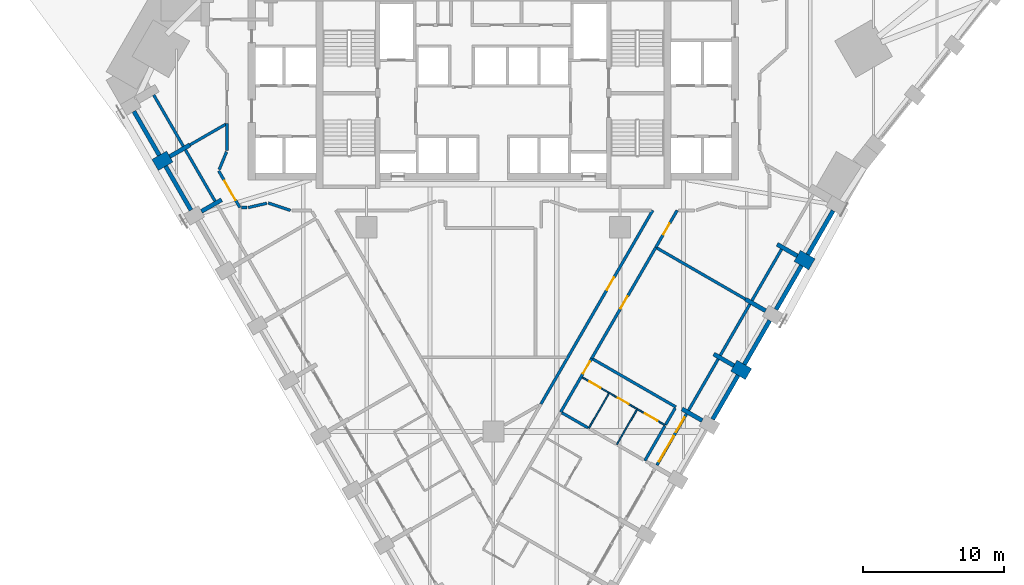
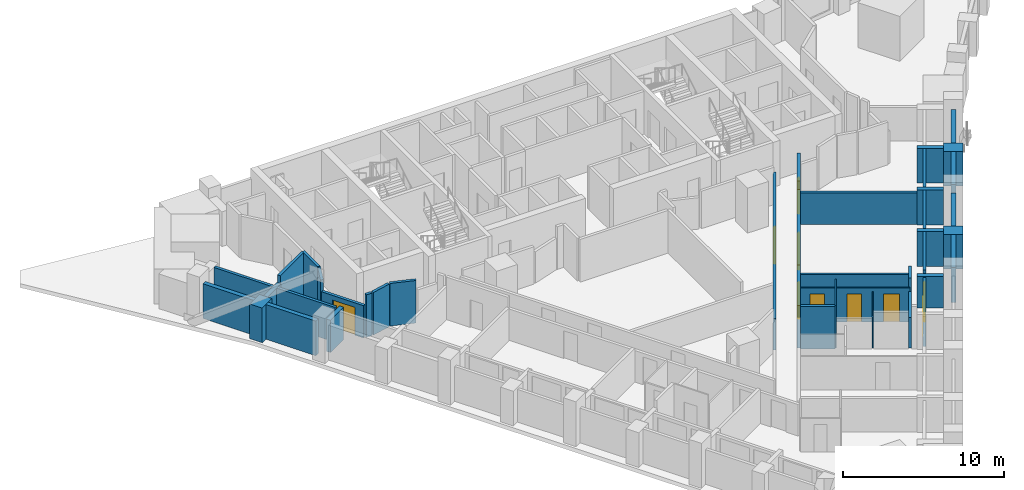
# One storey, part 5 of 10: 40 walls, 9 doors, 1 window, 10 openings.
"""IFC4 building model written with IfcOpenShell, lengths in metres."""

from ifc_helpers import new_model, si_unit, direction, frame, frame_2d, origin, place, context, subcontext, project, spatial, rectangle, extrude, material, layer, layer_set, type_object, element, fill, save


model = new_model("IFC4")

# Units and contexts
model_context = context("Model", 3, precision=1e-05, world=origin(), true_north=direction((0.0, 1.0)))
body_context = subcontext(model_context, "Body", "Model", "MODEL_VIEW")
ifc_project = project(units=[si_unit("LENGTHUNIT", "METRE"), si_unit("AREAUNIT", "SQUARE_METRE"), si_unit("VOLUMEUNIT", "CUBIC_METRE"), si_unit("PLANEANGLEUNIT", "RADIAN"), si_unit("MASSUNIT", "GRAM", prefix="KILO")], contexts=[model_context])

# Site, building, storey
site_placement = place(None, origin())
site = spatial("IfcSite", under=ifc_project, at=site_placement, CompositionType="ELEMENT")
building_placement = place(site_placement, origin())
building = spatial("IfcBuilding", under=site, at=building_placement, Name="Calabash Gate Tower", CompositionType="ELEMENT")
storey_placement = place(building_placement, frame((0.0, 0.0, 91.800048828125)))
storey = spatial("IfcBuildingStorey", under=building, at=storey_placement, Name="L19", CompositionType="ELEMENT", Elevation=91.800048828125)

# Walls
ifc_material_1 = material(Name="Terracotta brick masonry, exposed face", Category="masonry")
ifc_layer_1 = layer(ifc_material_1, 1.199951171875)
ifc_layer_set_1 = layer_set([ifc_layer_1], Name="Brick end wall 1200")
wall_type_1 = type_object("IfcWallType", Name="Brick end wall 1200", PredefinedType="SOLIDWALL", material=ifc_layer_set_1)
wall_1_placement = place(storey_placement, frame((-24.01025390625, 6.922119140625, 0.0), z_axis=(0.0, 0.0, 1.0), x_axis=(0.865955154139, 0.50012165622, 0.0)))
element("IfcWall", 1, at=wall_1_placement, inside=storey, type_object=wall_type_1, Name="Brick pier S05 SW0.1", PredefinedType="SOLIDWALL", context=body_context, shape_type="SweptSolid", body=[
    extrude(rectangle(XDim=1.199951171875, YDim=0.89990234375, at=frame_2d((0.60009765625, 0.0))), origin(), (0.0, 0.0, 1.0), 2.6298828125),
])
wall_2_placement = place(storey_placement, frame((18.1171875, -7.925537109375, 0.0), z_axis=(0.0, 0.0, 1.0), x_axis=(-0.866006032174, 0.500033551112, 0.0)))
element("IfcWall", 2, at=wall_2_placement, inside=storey, type_object=wall_type_1, Name="Brick pier S05 SE2.5", PredefinedType="SOLIDWALL", context=body_context, shape_type="SweptSolid", body=[
    extrude(rectangle(XDim=1.2001953125, YDim=0.89990234375, at=frame_2d((0.60009765625, 0.0))), origin(), (0.0, 0.0, 1.0), 2.6298828125),
])
wall_3_placement = place(storey_placement, frame((21.577880859375, 0.46875, 0.0), z_axis=(0.0, 0.0, 1.0), x_axis=(0.866094119867, -0.499880961361, 0.0)))
element("IfcWall", 3, at=wall_3_placement, inside=storey, type_object=wall_type_1, Name="Brick pier S05 SE2.7", PredefinedType="SOLIDWALL", context=body_context, shape_type="SweptSolid", body=[
    extrude(rectangle(XDim=1.199951171875, YDim=0.89990234375, at=frame_2d((0.60009765625, 0.0))), origin(), (0.0, 0.0, 1.0), 2.6298828125),
])
ifc_material_2 = material(Name="Terracotta brick masonry, exposed face", Category="masonry")
ifc_layer_2 = layer(ifc_material_2, 0.300048828125)
ifc_layer_set_2 = layer_set([ifc_layer_2], Name="Brick infill panel wall 300")
wall_type_2 = type_object("IfcWallType", Name="Brick infill panel wall 300", PredefinedType="SOLIDWALL", material=ifc_layer_set_2)
wall_4_placement = place(storey_placement, frame((-25.515625, 10.729736328125, 0.0), z_axis=(0.0, 0.0, 1.0), x_axis=(0.499961193289, -0.866047807691, 0.0)))
element("IfcWall", 4, at=wall_4_placement, inside=storey, type_object=wall_type_2, Name="Brick panel S05 SW0.1", PredefinedType="SOLIDWALL", context=body_context, shape_type="SweptSolid", body=[
    extrude(rectangle(XDim=3.599853515625, YDim=0.300048828125, at=frame_2d((1.7998046875, 0.0))), origin(), (0.0, 0.0, 1.0), 2.6298828125),
])
wall_5_placement = place(storey_placement, frame((-21.466552734375, 3.71630859375, 0.0), z_axis=(0.0, 0.0, 1.0), x_axis=(-0.499984792966, 0.866034183392, 0.0)))
element("IfcWall", 5, at=wall_5_placement, inside=storey, type_object=wall_type_2, Name="Brick panel S05 SW0.2", PredefinedType="SOLIDWALL", context=body_context, shape_type="SweptSolid", body=[
    extrude(rectangle(XDim=3.59814453125, YDim=0.300048828125, at=frame_2d((1.799072265625, 0.0))), origin(), (0.0, 0.0, 1.0), 2.6298828125),
])
wall_6_placement = place(storey_placement, frame((15.572509765625, -11.1328125, 0.0), z_axis=(0.0, 0.0, 1.0), x_axis=(0.500012057535, 0.866018442252, 0.0)))
element("IfcWall", 6, at=wall_6_placement, inside=storey, type_object=wall_type_2, Name="Brick panel S05 SE2.5", PredefinedType="SOLIDWALL", context=body_context, shape_type="SweptSolid", body=[
    extrude(rectangle(XDim=3.60009765625, YDim=0.300048828125, at=frame_2d((1.800048828125, 0.0))), origin(), (0.0, 0.0, 1.0), 2.6298828125),
])
wall_7_placement = place(storey_placement, frame((17.822509765625, -7.23583984375, 0.0), z_axis=(0.0, 0.0, 1.0), x_axis=(0.499982693035, 0.866035395735, 0.0)))
element("IfcWall", 7, at=wall_7_placement, inside=storey, type_object=wall_type_2, Name="Brick panel S05 SE2.6", PredefinedType="SOLIDWALL", context=body_context, shape_type="SweptSolid", body=[
    extrude(rectangle(XDim=3.600341796875, YDim=0.300048828125, at=frame_2d((1.80029296875, 0.0))), origin(), (0.0, 0.0, 1.0), 2.6298828125),
])
for number, where, z_axis, x_axis, name in (
    (8, (20.072509765625, -3.338623046875, 0.0), (0.0, 0.0, 1.0), (0.500012057535, 0.866018442252, 0.0), "Brick panel S05 SE2.7"),
    (9, (22.322509765625, 0.55859375, 0.0), (0.0, 0.0, 1.0), (0.500012057535, 0.866018442252, 0.0), "Brick panel S05 SE2.8"),
):
    element("IfcWall", number, at=place(storey_placement, frame(where, z_axis=z_axis, x_axis=x_axis)), inside=storey, type_object=wall_type_2, Name=name, PredefinedType="SOLIDWALL", context=body_context, shape_type="SweptSolid", body=[
        extrude(rectangle(XDim=3.60009765625, YDim=0.300048828125, at=frame_2d((1.800048828125, 0.0))), origin(), (0.0, 0.0, 1.0), 2.6298828125),
    ])
ifc_material_3 = material(Name="Terracotta brick masonry, exposed face", Category="masonry")
ifc_layer_3 = layer(ifc_material_3, 0.300048828125)
ifc_layer_set_3 = layer_set([ifc_layer_3], Name="Brick loggia cheek wall 300")
wall_type_3 = type_object("IfcWallType", Name="Brick loggia cheek wall 300", PredefinedType="SOLIDWALL", material=ifc_layer_set_3)
wall_8_placement = place(storey_placement, frame((-22.97119140625, 7.522216796875, 0.0), z_axis=(0.0, 0.0, 1.0), x_axis=(0.866040211805, 0.499974350878, 0.0)))
element("IfcWall", 10, at=wall_8_placement, inside=storey, type_object=wall_type_3, Name="Loggia cheek S05 SW0.1", PredefinedType="SOLIDWALL", context=body_context, shape_type="SweptSolid", body=[
    extrude(rectangle(XDim=1.64990234375, YDim=0.300048828125, at=frame_2d((0.824951171875, 0.0))), origin(), (0.0, 0.0, 1.0), 2.64990234375),
])
wall_9_placement = place(storey_placement, frame((-19.292236328125, 4.4501953125, 0.0), z_axis=(0.0, 0.0, 1.0), x_axis=(-0.865993292597, -0.500055614084, 0.0)))
element("IfcWall", 11, at=wall_9_placement, inside=storey, type_object=wall_type_3, Name="Loggia cheek S05 SW0.2", PredefinedType="SOLIDWALL", context=body_context, shape_type="SweptSolid", body=[
    extrude(rectangle(XDim=1.649169921875, YDim=0.300048828125, at=frame_2d((0.82470703125, 0.0))), origin(), (0.0, 0.0, 1.0), 2.449951171875),
])
wall_10_placement = place(storey_placement, frame((13.39892578125, -10.3974609375, 0.0), z_axis=(0.0, 0.0, 1.0), x_axis=(0.866003217194, -0.500038426333, 0.0)))
element("IfcWall", 12, at=wall_10_placement, inside=storey, type_object=wall_type_3, Name="Loggia cheek S05 SE2.4", PredefinedType="SOLIDWALL", context=body_context, shape_type="SweptSolid", body=[
    extrude(rectangle(XDim=1.649658203125, YDim=0.300048828125, at=frame_2d((0.82470703125, 0.0))), origin(), (0.0, 0.0, 1.0), 2.384033203125),
])
wall_11_placement = place(storey_placement, frame((17.077880859375, -7.325439453125, 0.0), z_axis=(0.0, 0.0, 1.0), x_axis=(-0.866040211805, 0.499974350878, 0.0)))
element("IfcWall", 13, at=wall_11_placement, inside=storey, type_object=wall_type_3, Name="Loggia cheek S05 SE2.5", PredefinedType="SOLIDWALL", context=body_context, shape_type="SweptSolid", body=[
    extrude(rectangle(XDim=1.64990234375, YDim=0.300048828125, at=frame_2d((0.824951171875, 0.0))), origin(), (0.0, 0.0, 1.0), 2.64990234375),
])
wall_12_placement = place(storey_placement, frame((19.327392578125, -3.427978515625, 0.0), z_axis=(0.0, 0.0, 1.0), x_axis=(-0.866030301974, 0.499991515992, 0.0)))
element("IfcWall", 14, at=wall_12_placement, inside=storey, type_object=wall_type_3, Name="Loggia cheek S05 SE2.6", PredefinedType="SOLIDWALL", context=body_context, shape_type="SweptSolid", body=[
    extrude(rectangle(XDim=1.6494140625, YDim=0.300048828125, at=frame_2d((0.82470703125, 0.0))), origin(), (0.0, 0.0, 1.0), 2.64990234375),
])
wall_13_placement = place(storey_placement, frame((21.577880859375, 0.46875, 0.0), z_axis=(0.0, 0.0, 1.0), x_axis=(-0.866040211805, 0.499974350878, 0.0)))
element("IfcWall", 15, at=wall_13_placement, inside=storey, type_object=wall_type_3, Name="Loggia cheek S05 SE2.7", PredefinedType="SOLIDWALL", context=body_context, shape_type="SweptSolid", body=[
    extrude(rectangle(XDim=1.64990234375, YDim=0.300048828125, at=frame_2d((0.824951171875, 0.0))), origin(), (0.0, 0.0, 1.0), 2.64990234375),
])

# Wall, openings, doors
ifc_material_4 = material(Name="Gypsum board on steel studs, mineral wool", Category="steel")
ifc_layer_4 = layer(ifc_material_4, 0.10009765625)
ifc_layer_set_4 = layer_set([ifc_layer_4], Name="Partition 100 gypsum board")
wall_type_4 = type_object("IfcWallType", Name="Partition 100 gypsum board", PredefinedType="PARTITIONING", material=ifc_layer_set_4)
wall_14_placement = place(storey_placement, frame((6.322021484375, -8.1591796875, 0.0), z_axis=(0.0, 0.0, 1.0), x_axis=(0.866028893315, -0.499993955907, 0.0)))
wall_14 = element("IfcWall", 16, at=wall_14_placement, inside=storey, type_object=wall_type_4, Name="Partition", PredefinedType="PARTITIONING", context=body_context, shape_type="SweptSolid", body=[
    extrude(rectangle(XDim=6.7978515625, YDim=0.10009765625, at=frame_2d((3.39892578125, 0.0))), origin(), (0.0, 0.0, 1.0), 2.5517578125),
])
opening_1_placement = place(wall_14_placement, frame((0.59814453125, 0.0, 0.0)))
opening_1 = element("IfcOpeningElement", 17, at=opening_1_placement, cuts=wall_14, Name="Opening 19-21-017", PredefinedType="OPENING", context=body_context, shape_type="SweptSolid", body=[
    extrude(rectangle(XDim=0.89990234375, YDim=2.10009765625, at=frame_2d((0.449951171875, 1.050048828125))), frame((0.0, 0.06005859375, 0.0), z_axis=(0.0, -1.0, 0.0), x_axis=(1.0, 0.0, 0.0)), (0.0, 0.0, 1.0), 0.1201171875),
])
opening_2_placement = place(wall_14_placement, frame((2.898193359375, 0.0, 0.0)))
opening_2 = element("IfcOpeningElement", 18, at=opening_2_placement, cuts=wall_14, Name="Opening 19-21-018", PredefinedType="OPENING", context=body_context, shape_type="SweptSolid", body=[
    extrude(rectangle(XDim=0.89990234375, YDim=2.10009765625, at=frame_2d((0.449951171875, 1.050048828125))), frame((0.0, 0.06005859375, 0.0), z_axis=(0.0, -1.0, 0.0), x_axis=(1.0, 0.0, 0.0)), (0.0, 0.0, 1.0), 0.1201171875),
])
opening_3_placement = place(wall_14_placement, frame((5.148193359375, 0.0, 0.0)))
opening_3 = element("IfcOpeningElement", 19, at=opening_3_placement, cuts=wall_14, Name="Opening 19-21-019", PredefinedType="OPENING", context=body_context, shape_type="SweptSolid", body=[
    extrude(rectangle(XDim=1.0, YDim=2.10009765625, at=frame_2d((0.5, 1.050048828125))), frame((0.0, 0.06005859375, 0.0), z_axis=(0.0, -1.0, 0.0), x_axis=(1.0, 0.0, 0.0)), (0.0, 0.0, 1.0), 0.1201171875),
])
ifc_material_5 = material(Name="Painted timber door", Category="wood")
door_type_1 = type_object("IfcDoorType", Name="WD1 WC door 900x2100", OperationType="NOTDEFINED", PredefinedType="DOOR", material=ifc_material_5)
door_1_placement = place(opening_1_placement, origin())
door_1 = element("IfcDoor", 20, at=door_1_placement, inside=storey, type_object=door_type_1, Name="WC door", OperationType="SINGLE_SWING_RIGHT", OverallHeight=2.10009765625, OverallWidth=0.89990234375, PredefinedType="DOOR", context=body_context, shape_type="SweptSolid", body=[
    extrude(rectangle(XDim=0.89990234375, YDim=2.10009765625, at=frame_2d((0.449951171875, 1.050048828125))), frame((0.0, 0.02490234375, 0.0), z_axis=(0.0, -1.0, 0.0), x_axis=(1.0, 0.0, 0.0)), (0.0, 0.0, 1.0), 0.050048828125),
])
fill(opening_1, door_1)
door_2_placement = place(opening_2_placement, origin())
door_2 = element("IfcDoor", 21, at=door_2_placement, inside=storey, type_object=door_type_1, Name="WC door", OperationType="SINGLE_SWING_RIGHT", OverallHeight=2.10009765625, OverallWidth=0.89990234375, PredefinedType="DOOR", context=body_context, shape_type="SweptSolid", body=[
    extrude(rectangle(XDim=0.89990234375, YDim=2.10009765625, at=frame_2d((0.449951171875, 1.050048828125))), frame((0.0, 0.02490234375, 0.0), z_axis=(0.0, -1.0, 0.0), x_axis=(1.0, 0.0, 0.0)), (0.0, 0.0, 1.0), 0.050048828125),
])
fill(opening_2, door_2)
ifc_material_6 = material(Name="Painted timber door", Category="wood")
door_type_2 = type_object("IfcDoorType", Name="WD2 Accessible WC door 1000x2100", OperationType="NOTDEFINED", PredefinedType="DOOR", material=ifc_material_6)
door_3_placement = place(opening_3_placement, origin())
door_3 = element("IfcDoor", 22, at=door_3_placement, inside=storey, type_object=door_type_2, Name="Accessible WC door", OperationType="SINGLE_SWING_LEFT", OverallHeight=2.10009765625, OverallWidth=1.0, PredefinedType="DOOR", context=body_context, shape_type="SweptSolid", body=[
    extrude(rectangle(XDim=1.0, YDim=2.10009765625, at=frame_2d((0.5, 1.050048828125))), frame((0.0, 0.02490234375, 0.0), z_axis=(0.0, -1.0, 0.0), x_axis=(1.0, 0.0, 0.0)), (0.0, 0.0, 1.0), 0.050048828125),
])
fill(opening_3, door_3)

# Walls
wall_15_placement = place(storey_placement, frame((8.769287109375, -12.92041015625, 0.0), z_axis=(0.0, 0.0, 1.0), x_axis=(0.499972122318, 0.866041498374, 0.0)))
element("IfcWall", 23, at=wall_15_placement, inside=storey, type_object=wall_type_4, Name="Partition", PredefinedType="PARTITIONING", context=body_context, shape_type="SweptSolid", body=[
    extrude(rectangle(XDim=2.849853515625, YDim=0.10009765625, at=frame_2d((1.4248046875, 0.0))), origin(), (0.0, 0.0, 1.0), 2.302490234375),
])
wall_16_placement = place(storey_placement, frame((6.77734375, -11.7705078125, 0.0), z_axis=(0.0, 0.0, 1.0), x_axis=(0.499972122318, 0.866041498374, 0.0)))
element("IfcWall", 24, at=wall_16_placement, inside=storey, type_object=wall_type_4, Name="Partition", PredefinedType="PARTITIONING", context=body_context, shape_type="SweptSolid", body=[
    extrude(rectangle(XDim=2.849853515625, YDim=0.10009765625, at=frame_2d((1.4248046875, 0.0))), origin(), (0.0, 0.0, 1.0), 3.22998046875),
])
ifc_material_7 = material(Name="Gypsum board on steel studs, mineral wool", Category="steel")
ifc_layer_5 = layer(ifc_material_7, 0.199951171875)
ifc_layer_set_5 = layer_set([ifc_layer_5], Name="Partition 200 gypsum board EI 60")
wall_type_5 = type_object("IfcWallType", Name="Partition 200 gypsum board EI 60", PredefinedType="PARTITIONING", material=ifc_layer_set_5)
wall_17_placement = place(storey_placement, frame((10.75927734375, -14.069580078125, 0.0), z_axis=(0.0, 0.0, 1.0), x_axis=(0.499472906963, 0.866329507295, 0.0)))
element("IfcWall", 25, at=wall_17_placement, inside=storey, type_object=wall_type_5, Name="Partition", PredefinedType="PARTITIONING", context=body_context, shape_type="SweptSolid", body=[
    extrude(rectangle(XDim=2.8515625, YDim=0.199951171875, at=frame_2d((1.42578125, 0.0))), origin(), (0.0, 0.0, 1.0), 2.302490234375),
])
wall_18_placement = place(storey_placement, frame((12.23388671875, -11.51220703125, 0.0), z_axis=(0.0, 0.0, 1.0), x_axis=(0.501000622125, 0.865446923058, 0.0)))
element("IfcWall", 26, at=wall_18_placement, inside=storey, type_object=wall_type_5, Name="Partition", PredefinedType="PARTITIONING", context=body_context, shape_type="SweptSolid", body=[
    extrude(rectangle(XDim=1.349853515625, YDim=0.199951171875, at=frame_2d((0.6748046875, 0.0))), origin(), (0.0, 0.0, 1.0), 3.22998046875),
])
wall_19_placement = place(storey_placement, frame((4.872802734375, -10.6689453125, 0.0), z_axis=(0.0, 0.0, 1.0), x_axis=(0.865664803183, -0.500624059081, 0.0)))
element("IfcWall", 27, at=wall_19_placement, inside=storey, type_object=wall_type_5, Name="Partition", PredefinedType="PARTITIONING", context=body_context, shape_type="SweptSolid", body=[
    extrude(rectangle(XDim=2.148193359375, YDim=0.199951171875, at=frame_2d((1.07421875, 0.0))), origin(), (0.0, 0.0, 1.0), 3.22998046875),
])
wall_20_placement = place(storey_placement, frame((7.072021484375, -6.85986328125, 0.0), z_axis=(0.0, 0.0, 1.0), x_axis=(0.86615808173, -0.499770124611, 0.0)))
element("IfcWall", 28, at=wall_20_placement, inside=storey, type_object=wall_type_5, Name="Partition", PredefinedType="PARTITIONING", context=body_context, shape_type="SweptSolid", body=[
    extrude(rectangle(XDim=6.798095703125, YDim=0.199951171875, at=frame_2d((3.39892578125, 0.0))), origin(), (0.0, 0.0, 1.0), 2.5517578125),
])

# Wall, opening, door
wall_21_placement = place(storey_placement, frame((3.378662109375, -10.049072265625, 0.0), z_axis=(0.0, 0.0, 1.0), x_axis=(0.50000242408, 0.866024004237, 0.0)))
wall_21 = element("IfcWall", 29, at=wall_21_placement, inside=storey, type_object=wall_type_5, Name="Partition", PredefinedType="PARTITIONING", context=body_context, shape_type="SweptSolid", body=[
    extrude(rectangle(XDim=15.876953125, YDim=0.199951171875, at=frame_2d((7.9384765625, 0.0))), origin(), (0.0, 0.0, 1.0), 2.384033203125),
])
opening_4_placement = place(wall_21_placement, frame((9.359130859375, 0.0, 0.0)))
opening_4 = element("IfcOpeningElement", 30, at=opening_4_placement, cuts=wall_21, Name="Opening 19-21-012", PredefinedType="OPENING", context=body_context, shape_type="SweptSolid", body=[
    extrude(rectangle(XDim=1.0, YDim=2.10009765625, at=frame_2d((0.5, 1.050048828125))), frame((0.0, 0.10986328125, 0.0), z_axis=(0.0, -1.0, 0.0), x_axis=(1.0, 0.0, 0.0)), (0.0, 0.0, 1.0), 0.219970703125),
])
ifc_material_8 = material(Name="Steel fire door set with fire-resisting glazing", Category="steel")
door_type_3 = type_object("IfcDoorType", Name="LD2 Meeting room door 1000x2100", OperationType="NOTDEFINED", PredefinedType="DOOR", material=ifc_material_8)
door_4_placement = place(opening_4_placement, origin())
door_4 = element("IfcDoor", 31, at=door_4_placement, inside=storey, type_object=door_type_3, Name="Meeting room door", OperationType="SINGLE_SWING_RIGHT", OverallHeight=2.10009765625, OverallWidth=1.0, PredefinedType="DOOR", context=body_context, shape_type="SweptSolid", body=[
    extrude(rectangle(XDim=1.0, YDim=2.10009765625, at=frame_2d((0.5, 1.050048828125))), frame((0.0, 0.02490234375, 0.0), z_axis=(0.0, -1.0, 0.0), x_axis=(1.0, 0.0, 0.0)), (0.0, 0.0, 1.0), 0.050048828125),
])
fill(opening_4, door_4)

wall_22_placement = place(storey_placement, frame((6.98486328125, -6.807373046875, 0.0), z_axis=(0.0, 0.0, 1.0), x_axis=(0.500170742348, 0.865926803199, 0.0)))
wall_22 = element("IfcWall", 32, at=wall_22_placement, inside=storey, type_object=wall_type_5, Name="Partition", PredefinedType="PARTITIONING", context=body_context, shape_type="SweptSolid", body=[
    extrude(rectangle(XDim=9.097900390625, YDim=0.199951171875, at=frame_2d((4.548828125, 0.0))), origin(), (0.0, 0.0, 1.0), 2.5517578125),
])
opening_5_placement = place(wall_22_placement, frame((4.097900390625, 0.0, 0.0)))
opening_5 = element("IfcOpeningElement", 33, at=opening_5_placement, cuts=wall_22, Name="Opening 19-21-010", PredefinedType="OPENING", context=body_context, shape_type="SweptSolid", body=[
    extrude(rectangle(XDim=1.0, YDim=2.10009765625, at=frame_2d((0.5, 1.050048828125))), frame((0.0, 0.10986328125, 0.0), z_axis=(0.0, -1.0, 0.0), x_axis=(1.0, 0.0, 0.0)), (0.0, 0.0, 1.0), 0.219970703125),
])
door_5_placement = place(opening_5_placement, origin())
door_5 = element("IfcDoor", 34, at=door_5_placement, inside=storey, type_object=door_type_3, Name="Meeting room door", OperationType="SINGLE_SWING_LEFT", OverallHeight=2.10009765625, OverallWidth=1.0, PredefinedType="DOOR", context=body_context, shape_type="SweptSolid", body=[
    extrude(rectangle(XDim=1.0, YDim=2.10009765625, at=frame_2d((0.5, 1.050048828125))), frame((0.0, 0.02490234375, 0.0), z_axis=(0.0, -1.0, 0.0), x_axis=(1.0, 0.0, 0.0)), (0.0, 0.0, 1.0), 0.050048828125),
])
fill(opening_5, door_5)

wall_23_placement = place(storey_placement, frame((4.786376953125, -10.618896484375, 0.0), z_axis=(0.0, 0.0, 1.0), x_axis=(0.500007539231, 0.866021050964, 0.0)))
wall_23 = element("IfcWall", 35, at=wall_23_placement, inside=storey, type_object=wall_type_5, Name="Partition", PredefinedType="PARTITIONING", context=body_context, shape_type="SweptSolid", body=[
    extrude(rectangle(XDim=4.3984375, YDim=0.199951171875, at=frame_2d((2.19921875, 0.0))), origin(), (0.0, 0.0, 1.0), 3.22998046875),
])
opening_6_placement = place(wall_23_placement, frame((3.14990234375, 0.0, 0.0)))
opening_6 = element("IfcOpeningElement", 36, at=opening_6_placement, cuts=wall_23, Name="Opening 19-21-016", PredefinedType="OPENING", context=body_context, shape_type="SweptSolid", body=[
    extrude(rectangle(XDim=1.0, YDim=2.10009765625, at=frame_2d((0.5, 1.050048828125))), frame((0.0, 0.10986328125, 0.0), z_axis=(0.0, -1.0, 0.0), x_axis=(1.0, 0.0, 0.0)), (0.0, 0.0, 1.0), 0.219970703125),
])
ifc_material_9 = material(Name="Steel fire door set with fire-resisting glazing", Category="steel")
door_type_4 = type_object("IfcDoorType", Name="WD3 WC lobby door 1000x2100", OperationType="NOTDEFINED", PredefinedType="DOOR", material=ifc_material_9)
door_6_placement = place(opening_6_placement, origin())
door_6 = element("IfcDoor", 37, at=door_6_placement, inside=storey, type_object=door_type_4, Name="WC lobby door", OperationType="SINGLE_SWING_LEFT", OverallHeight=2.10009765625, OverallWidth=1.0, PredefinedType="DOOR", context=body_context, shape_type="SweptSolid", body=[
    extrude(rectangle(XDim=1.0, YDim=2.10009765625, at=frame_2d((0.5, 1.050048828125))), frame((0.0, 0.02490234375, 0.0), z_axis=(0.0, -1.0, 0.0), x_axis=(1.0, 0.0, 0.0)), (0.0, 0.0, 1.0), 0.050048828125),
])
fill(opening_6, door_6)

# Walls
wall_24_placement = place(storey_placement, frame((11.622802734375, 1.0224609375, 0.0), z_axis=(0.0, 0.0, 1.0), x_axis=(0.865930886033, -0.500163673825, 0.0)))
element("IfcWall", 38, at=wall_24_placement, inside=storey, type_object=wall_type_5, Name="Partition", PredefinedType="PARTITIONING", context=body_context, shape_type="SweptSolid", body=[
    extrude(rectangle(XDim=7.248046875, YDim=0.199951171875, at=frame_2d((3.6240234375, 0.0))), origin(), (0.0, 0.0, 1.0), 2.384033203125),
])
wall_25_placement = place(storey_placement, frame((-15.98291015625, 4.22705078125, 0.0), z_axis=(0.0, 0.0, 1.0), x_axis=(0.948683298051, -0.316227766017, 0.0)))
element("IfcWall", 39, at=wall_25_placement, inside=storey, type_object=wall_type_5, Name="Partition", PredefinedType="PARTITIONING", context=body_context, shape_type="SweptSolid", body=[
    extrude(rectangle(XDim=1.66845703125, YDim=0.199951171875, at=frame_2d((0.834228515625, 0.0))), origin(), (0.0, 0.0, 1.0), 3.22998046875),
])

# Wall, opening, door
wall_26_placement = place(storey_placement, frame((11.536376953125, 1.072509765625, 0.0), z_axis=(0.0, 0.0, 1.0), x_axis=(0.499620231516, 0.866244552225, 0.0)))
wall_26 = element("IfcWall", 40, at=wall_26_placement, inside=storey, type_object=wall_type_5, Name="Partition", PredefinedType="PARTITIONING", context=body_context, shape_type="SweptSolid", body=[
    extrude(rectangle(XDim=3.032470703125, YDim=0.199951171875, at=frame_2d((1.51611328125, 0.0))), origin(), (0.0, 0.0, 1.0), 3.22998046875),
])
opening_7_placement = place(wall_26_placement, frame((1.065673828125, 0.0, 0.0)))
opening_7 = element("IfcOpeningElement", 41, at=opening_7_placement, cuts=wall_26, Name="Opening 19-21-024", PredefinedType="OPENING", context=body_context, shape_type="SweptSolid", body=[
    extrude(rectangle(XDim=0.89990234375, YDim=2.10009765625, at=frame_2d((0.449951171875, 1.050048828125))), frame((0.0, 0.10986328125, 0.0), z_axis=(0.0, -1.0, 0.0), x_axis=(1.0, 0.0, 0.0)), (0.0, 0.0, 1.0), 0.219970703125),
])
ifc_material_10 = material(Name="Steel fire door set with fire-resisting glazing", Category="steel")
door_type_5 = type_object("IfcDoorType", Name="SD3 Store door 900x2100", OperationType="NOTDEFINED", PredefinedType="DOOR", material=ifc_material_10)
door_7_placement = place(opening_7_placement, origin())
door_7 = element("IfcDoor", 42, at=door_7_placement, inside=storey, type_object=door_type_5, Name="Store door", OperationType="SINGLE_SWING_RIGHT", OverallHeight=2.10009765625, OverallWidth=0.89990234375, PredefinedType="DOOR", context=body_context, shape_type="SweptSolid", body=[
    extrude(rectangle(XDim=0.89990234375, YDim=2.10009765625, at=frame_2d((0.449951171875, 1.050048828125))), frame((0.0, 0.02490234375, 0.0), z_axis=(0.0, -1.0, 0.0), x_axis=(1.0, 0.0, 0.0)), (0.0, 0.0, 1.0), 0.050048828125),
])
fill(opening_7, door_7)

wall_27_placement = place(storey_placement, frame((-19.496826171875, 6.504150390625, 0.0), z_axis=(0.0, 0.0, 1.0), x_axis=(0.499928597019, -0.86606662439, 0.0)))
wall_27 = element("IfcWall", 43, at=wall_27_placement, inside=storey, type_object=wall_type_5, Name="Partition", PredefinedType="PARTITIONING", context=body_context, shape_type="SweptSolid", body=[
    extrude(rectangle(XDim=3.00732421875, YDim=0.199951171875, at=frame_2d((1.503662109375, 0.0))), origin(), (0.0, 0.0, 1.0), 2.449951171875),
])
opening_8_placement = place(wall_27_placement, frame((0.8037109375, 0.0, 0.0)))
opening_8 = element("IfcOpeningElement", 44, at=opening_8_placement, cuts=wall_27, Name="Opening 19-21-021", PredefinedType="OPENING", context=body_context, shape_type="SweptSolid", body=[
    extrude(rectangle(XDim=1.60009765625, YDim=2.10009765625, at=frame_2d((0.800048828125, 1.050048828125))), frame((0.0, 0.10986328125, 0.0), z_axis=(0.0, -1.0, 0.0), x_axis=(1.0, 0.0, 0.0)), (0.0, 0.0, 1.0), 0.219970703125),
])
ifc_material_11 = material(Name="Steel fire door set with fire-resisting glazing", Category="steel")
door_type_6 = type_object("IfcDoorType", Name="LD1 Lounge double door 1600x2100", OperationType="NOTDEFINED", PredefinedType="DOOR", material=ifc_material_11)
door_8_placement = place(opening_8_placement, origin())
door_8 = element("IfcDoor", 45, at=door_8_placement, inside=storey, type_object=door_type_6, Name="Lounge double door", OperationType="DOUBLE_DOOR_SINGLE_SWING", OverallHeight=2.10009765625, OverallWidth=1.60009765625, PredefinedType="DOOR", context=body_context, shape_type="SweptSolid", body=[
    extrude(rectangle(XDim=1.60009765625, YDim=2.10009765625, at=frame_2d((0.800048828125, 1.050048828125))), frame((0.0, 0.02490234375, 0.0), z_axis=(0.0, -1.0, 0.0), x_axis=(1.0, 0.0, 0.0)), (0.0, 0.0, 1.0), 0.050048828125),
])
fill(opening_8, door_8)

# Walls
wall_28_placement = place(storey_placement, frame((-17.893310546875, 3.8994140625, 0.0), z_axis=(0.0, 0.0, 1.0), x_axis=(1.0, 0.0, 0.0)))
element("IfcWall", 46, at=wall_28_placement, inside=storey, type_object=wall_type_5, Name="Partition", PredefinedType="PARTITIONING", context=body_context, shape_type="SweptSolid", body=[
    extrude(rectangle(XDim=0.393310546875, YDim=0.199951171875, at=frame_2d((0.19677734375, 0.0))), origin(), (0.0, 0.0, 1.0), 3.22998046875),
])
wall_29_placement = place(storey_placement, frame((-17.39990234375, 3.8994140625, 0.0), z_axis=(0.0, 0.0, 1.0), x_axis=(0.974284755848, 0.225320248808, 0.0)))
element("IfcWall", 47, at=wall_29_placement, inside=storey, type_object=wall_type_5, Name="Partition", PredefinedType="PARTITIONING", context=body_context, shape_type="SweptSolid", body=[
    extrude(rectangle(XDim=1.3544921875, YDim=0.199951171875, at=frame_2d((0.67724609375, 0.0))), origin(), (0.0, 0.0, 1.0), 3.22998046875),
])
wall_30_placement = place(storey_placement, frame((-19.458984375, 6.5966796875, 0.0), z_axis=(0.0, 0.0, 1.0), x_axis=(0.380767778943, 0.92467069734, 0.0)))
element("IfcWall", 48, at=wall_30_placement, inside=storey, type_object=wall_type_5, Name="Partition", PredefinedType="PARTITIONING", context=body_context, shape_type="SweptSolid", body=[
    extrude(rectangle(XDim=1.366455078125, YDim=0.199951171875, at=frame_2d((0.68310546875, 0.0))), origin(), (0.0, 0.0, 1.0), 3.22998046875),
])
wall_31_placement = place(storey_placement, frame((-18.902099609375, 9.871337890625, 0.0), z_axis=(0.0, 0.0, 1.0), x_axis=(0.000890698209, -0.999999603328, 0.0)))
element("IfcWall", 49, at=wall_31_placement, inside=storey, type_object=wall_type_5, Name="Partition", PredefinedType="PARTITIONING", context=body_context, shape_type="SweptSolid", body=[
    extrude(rectangle(XDim=1.918701171875, YDim=0.199951171875, at=frame_2d((0.95947265625, 0.0))), origin(), (0.0, 0.0, 1.0), 3.22998046875),
])
wall_32_placement = place(storey_placement, frame((-21.5419921875, 8.34716796875, 0.0), z_axis=(0.0, 0.0, 1.0), x_axis=(0.866346792864, 0.499442924161, 0.0)))
element("IfcWall", 50, at=wall_32_placement, inside=storey, type_object=wall_type_5, Name="Partition", PredefinedType="PARTITIONING", context=body_context, shape_type="SweptSolid", body=[
    extrude(rectangle(XDim=2.948974609375, YDim=0.199951171875, at=frame_2d((1.474609375, 0.0))), origin(), (0.0, 0.0, 1.0), 3.22998046875),
])
ifc_material_12 = material(Name="Aluminium framed window wall with insulated spandrel", Category="aluminium")
ifc_layer_6 = layer(ifc_material_12, 0.199951171875)
ifc_layer_set_6 = layer_set([ifc_layer_6], Name="Window wall 200")
wall_type_6 = type_object("IfcWallType", Name="Window wall 200", PredefinedType="ELEMENTEDWALL", material=ifc_layer_set_6)
wall_33_placement = place(storey_placement, frame((-24.10693359375, 11.889404296875, 0.0), z_axis=(0.0, 0.0, 1.0), x_axis=(0.500027713859, -0.866009402589, 0.0)))
element("IfcWall", 51, at=wall_33_placement, inside=storey, type_object=wall_type_6, Name="Window wall S05 SW0.1", PredefinedType="ELEMENTEDWALL", context=body_context, shape_type="SweptSolid", body=[
    extrude(rectangle(XDim=4.199951171875, YDim=0.199951171875, at=frame_2d((2.10009765625, 0.0))), origin(), (0.0, 0.0, 1.0), 2.64990234375),
])
wall_34_placement = place(storey_placement, frame((-21.85693359375, 7.992431640625, 0.0), z_axis=(0.0, 0.0, 1.0), x_axis=(0.500002543286, -0.866023935413, 0.0)))
element("IfcWall", 52, at=wall_34_placement, inside=storey, type_object=wall_type_6, Name="Window wall S05 SW0.2", PredefinedType="ELEMENTEDWALL", context=body_context, shape_type="SweptSolid", body=[
    extrude(rectangle(XDim=4.2001953125, YDim=0.199951171875, at=frame_2d((2.10009765625, 0.0))), origin(), (0.0, 0.0, 1.0), 2.64990234375),
])

# Wall, openings, door, window
wall_35_placement = place(storey_placement, frame((11.613525390625, -14.3896484375, 0.0), z_axis=(0.0, 0.0, 1.0), x_axis=(0.500027713859, 0.866009402589, 0.0)))
wall_35 = element("IfcWall", 53, at=wall_35_placement, inside=storey, type_object=wall_type_6, Name="Window wall S05 SE2.4", PredefinedType="ELEMENTEDWALL", context=body_context, shape_type="SweptSolid", body=[
    extrude(rectangle(XDim=4.199951171875, YDim=0.199951171875, at=frame_2d((2.10009765625, 0.0))), origin(), (0.0, 0.0, 1.0), 2.302490234375),
])
opening_9_placement = place(wall_35_placement, frame((0.300048828125, 0.0, 0.60009765625)))
opening_9 = element("IfcOpeningElement", 54, at=opening_9_placement, cuts=wall_35, Name="Opening HW1L-1600", PredefinedType="OPENING", context=body_context, shape_type="SweptSolid", body=[
    extrude(rectangle(XDim=2.10009765625, YDim=1.60009765625, at=frame_2d((1.050048828125, 0.800048828125))), frame((0.0, 0.10986328125, 0.0), z_axis=(0.0, -1.0, 0.0), x_axis=(1.0, 0.0, 0.0)), (0.0, 0.0, 1.0), 0.219970703125),
])
opening_10_placement = place(wall_35_placement, frame((2.699951171875, 0.0, 0.0)))
opening_10 = element("IfcOpeningElement", 55, at=opening_10_placement, cuts=wall_35, Name="Opening H5-022", PredefinedType="OPENING", context=body_context, shape_type="SweptSolid", body=[
    extrude(rectangle(XDim=1.199951171875, YDim=2.199951171875, at=frame_2d((0.60009765625, 1.10009765625))), frame((0.0, 0.10986328125, 0.0), z_axis=(0.0, -1.0, 0.0), x_axis=(1.0, 0.0, 0.0)), (0.0, 0.0, 1.0), 0.219970703125),
])
ifc_material_13 = material(Name="Anodised aluminium frame, bronze finish, impact-rated laminated clear glazing", Category="aluminium")
door_type_7 = type_object("IfcDoorType", Name="Loggia door DH1L-2200 1200x2200", OperationType="SLIDING_TO_LEFT", PredefinedType="DOOR", material=ifc_material_13)
door_9_placement = place(opening_10_placement, origin())
door_9 = element("IfcDoor", 56, at=door_9_placement, inside=storey, type_object=door_type_7, Name="Loggia door S05 SE2.4", OperationType="SINGLE_SWING_LEFT", OverallHeight=2.199951171875, OverallWidth=1.199951171875, PredefinedType="DOOR", context=body_context, shape_type="SweptSolid", body=[
    extrude(rectangle(XDim=1.199951171875, YDim=2.199951171875, at=frame_2d((0.60009765625, 1.10009765625))), frame((0.0, 0.02490234375, 0.0), z_axis=(0.0, -1.0, 0.0), x_axis=(1.0, 0.0, 0.0)), (0.0, 0.0, 1.0), 0.050048828125),
])
fill(opening_10, door_9)
ifc_material_14 = material(Name="Anodised aluminium frame, bronze finish, impact-rated laminated clear glazing", Category="aluminium")
window_type = type_object("IfcWindowType", Name="Window HW1L 2100x1600", PartitioningType="DOUBLE_PANEL_VERTICAL", PredefinedType="WINDOW", material=ifc_material_14)
window_placement = place(opening_9_placement, origin())
window = element("IfcWindow", 57, at=window_placement, inside=storey, type_object=window_type, Name="Window HW1 S05 SE2.4", OverallHeight=1.60009765625, OverallWidth=2.10009765625, PartitioningType="SINGLE_PANEL", PredefinedType="WINDOW", context=body_context, shape_type="SweptSolid", body=[
    extrude(rectangle(XDim=2.10009765625, YDim=1.60009765625, at=frame_2d((1.050048828125, 0.800048828125))), frame((0.0, 0.030029296875, 0.0), z_axis=(0.0, -1.0, 0.0), x_axis=(1.0, 0.0, 0.0)), (0.0, 0.0, 1.0), 0.06005859375),
])
fill(opening_9, window)

# Walls
wall_36_placement = place(storey_placement, frame((13.863525390625, -10.49267578125, 0.0), z_axis=(0.0, 0.0, 1.0), x_axis=(0.500002543286, 0.866023935413, 0.0)))
element("IfcWall", 58, at=wall_36_placement, inside=storey, type_object=wall_type_6, Name="Window wall S05 SE2.5", PredefinedType="ELEMENTEDWALL", context=body_context, shape_type="SweptSolid", body=[
    extrude(rectangle(XDim=4.2001953125, YDim=0.199951171875, at=frame_2d((2.10009765625, 0.0))), origin(), (0.0, 0.0, 1.0), 2.64990234375),
])
wall_37_placement = place(storey_placement, frame((16.113525390625, -6.595458984375, 0.0), z_axis=(0.0, 0.0, 1.0), x_axis=(0.500027713859, 0.866009402589, 0.0)))
element("IfcWall", 59, at=wall_37_placement, inside=storey, type_object=wall_type_6, Name="Window wall S05 SE2.6", PredefinedType="ELEMENTEDWALL", context=body_context, shape_type="SweptSolid", body=[
    extrude(rectangle(XDim=4.199951171875, YDim=0.199951171875, at=frame_2d((2.10009765625, 0.0))), origin(), (0.0, 0.0, 1.0), 2.64990234375),
])
wall_38_placement = place(storey_placement, frame((18.363525390625, -2.698486328125, 0.0), z_axis=(0.0, 0.0, 1.0), x_axis=(0.500002543286, 0.866023935413, 0.0)))
element("IfcWall", 60, at=wall_38_placement, inside=storey, type_object=wall_type_6, Name="Window wall S05 SE2.7", PredefinedType="ELEMENTEDWALL", context=body_context, shape_type="SweptSolid", body=[
    extrude(rectangle(XDim=4.2001953125, YDim=0.199951171875, at=frame_2d((2.10009765625, 0.0))), origin(), (0.0, 0.0, 1.0), 2.64990234375),
])

save(model, "model.ifc")
